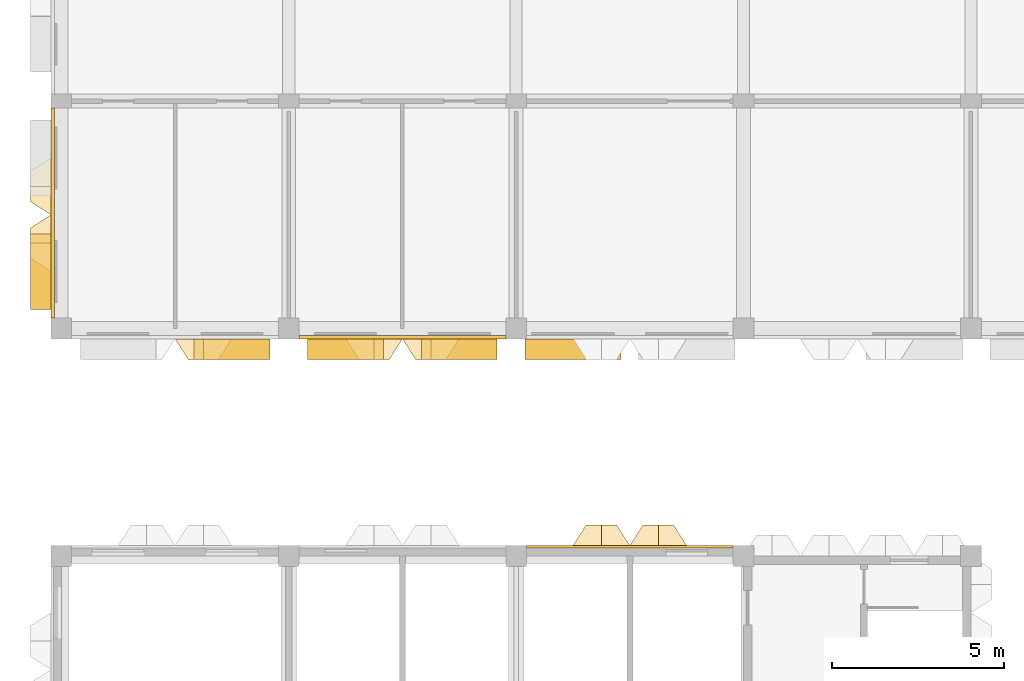
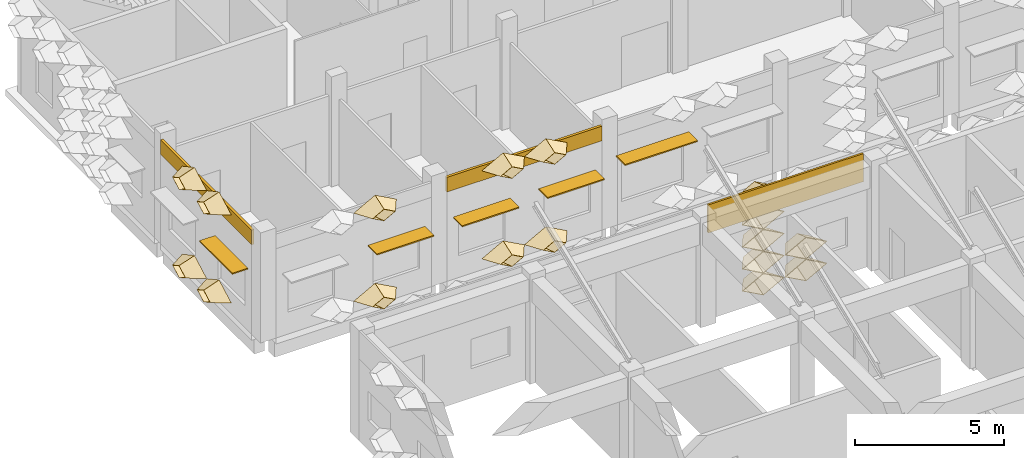
# One storey, part 84 of 102: 20 coverings, 5 shading devices.
"""IFC4 building model written with IfcOpenShell, lengths in metres."""

import ifcopenshell
import ifcopenshell.guid

model = None  # the IFC model being written
_history = None  # IfcOwnerHistory: only IFC2X3 demands one
_inside = {}  # id of a spatial element -> (the spatial element, [elements in it])
_under = {}  # id of a project, library or spatial element -> (it, [spatial elements below it])
_declared = {}  # id of a project -> (the project, [libraries it declares])
_typed = {}  # id of a type object -> (the type object, [elements of that type])
_made_of = {}  # id of a material, layer set ... -> (it, [elements and type objects made of it])


def new_model(schema):
    """Start an empty IFC model of exactly this schema.

    Asked for "IFC4X3", IfcOpenShell would pick the latest addendum, in which some entities
    have other attributes; the version numbers below select the first issue.
    IFC2X3 requires an IfcOwnerHistory on every rooted entity: one is made here for all.
    """
    global model, _history
    if schema == "IFC4X3":
        model = ifcopenshell.file(schema_version=(4, 3, 0, 0))
    else:
        model = ifcopenshell.file(schema=schema)
    _inside.clear()
    _under.clear()
    _declared.clear()
    _typed.clear()
    _made_of.clear()
    _history = None
    if model.schema == "IFC2X3":
        org = make("IfcOrganization", Name="unknown")
        user = make(
            "IfcPersonAndOrganization",
            ThePerson=make("IfcPerson", FamilyName="unknown"),
            TheOrganization=org,
        )
        app = make(
            "IfcApplication",
            ApplicationDeveloper=org,
            Version="unknown",
            ApplicationFullName="unknown",
            ApplicationIdentifier="unknown",
        )
        _history = make(
            "IfcOwnerHistory",
            OwningUser=user,
            OwningApplication=app,
            ChangeAction="ADDED",
            CreationDate=0,
        )
    return model


def make(cls, **values):
    """One entity of the class cls with the attributes given. An attribute that is None is left unset."""
    return model.create_entity(
        cls, **{name: value for name, value in values.items() if value is not None}
    )


def entity(cls, *values):
    """Any entity or typed value of the class cls, its attributes in the order of the schema. None: left unset."""
    e = model.create_entity(cls)
    for i, value in enumerate(values):
        if value is not None:
            e[i] = value
    return e


def rooted(cls, **values):
    """An entity with a GlobalId (a new one), such as an element, a storey or a relation."""
    return make(cls, GlobalId=ifcopenshell.guid.new(), OwnerHistory=_history, **values)


def si_unit(unit_type, name, prefix=None):
    """IfcSIUnit, for example si_unit("LENGTHUNIT", "METRE", prefix="MILLI")."""
    return make("IfcSIUnit", UnitType=unit_type, Prefix=prefix, Name=name)


def assignment(units):
    """IfcUnitAssignment: the units of a project."""
    return None if units is None else make("IfcUnitAssignment", Units=units)


def point(xyz):
    """IfcCartesianPoint."""
    return None if xyz is None else make("IfcCartesianPoint", Coordinates=xyz)


def direction(xyz):
    """IfcDirection."""
    return None if xyz is None else make("IfcDirection", DirectionRatios=xyz)


def frame(location, z_axis=None, x_axis=None):
    """IfcAxis2Placement3D, a coordinate frame: its origin and axes. An axis left out is left unset."""
    return make(
        "IfcAxis2Placement3D",
        Location=point(location),
        Axis=direction(z_axis),
        RefDirection=direction(x_axis),
    )


def frame_2d(location, x_axis=None):
    """IfcAxis2Placement2D, a coordinate frame in the plane: its origin and x axis."""
    return make(
        "IfcAxis2Placement2D", Location=point(location), RefDirection=direction(x_axis)
    )


def origin():
    """The frame at (0, 0, 0) with its axes left unset."""
    return frame((0.0, 0.0, 0.0))


def origin_2d():
    """The frame at (0, 0) in the plane with its x axis left unset."""
    return frame_2d((0.0, 0.0))


def place(relative_to, where):
    """IfcLocalPlacement: puts the frame where relative to a parent placement (None: the world)."""
    return make(
        "IfcLocalPlacement", PlacementRelTo=relative_to, RelativePlacement=where
    )


def context(
    kind, dimensions, precision=None, world=None, true_north=None, identifier=None
):
    """IfcGeometricRepresentationContext, for example the 3D "Model" context."""
    return make(
        "IfcGeometricRepresentationContext",
        ContextIdentifier=identifier,
        ContextType=kind,
        CoordinateSpaceDimension=dimensions,
        Precision=precision,
        WorldCoordinateSystem=world,
        TrueNorth=true_north,
    )


def subcontext(parent, identifier, kind, view, scale=None):
    """IfcGeometricRepresentationSubContext, for example "Body" below "Model"."""
    return make(
        "IfcGeometricRepresentationSubContext",
        ContextIdentifier=identifier,
        ContextType=kind,
        ParentContext=parent,
        TargetScale=scale,
        TargetView=view,
    )


def project(units=None, contexts=None):
    """IfcProject with its units and contexts."""
    return rooted(
        "IfcProject",
        Name="project",
        RepresentationContexts=contexts,
        UnitsInContext=assignment(units),
    )


def spatial(cls, under=None, at=None, **own):
    """A site, building, storey or space (cls), placed at a placement, below another one or the project."""
    s = rooted(cls, ObjectPlacement=at, **own)
    if under is not None:
        _under.setdefault(under.id(), (under, []))[1].append(s)
    return s


def profile(cls, at=None, kind="AREA", **sizes):
    """A parametric profile (cls). Its sizes go by their IFC names, for example OverallWidth=200.0."""
    return make(cls, ProfileType=kind, Position=at, **sizes)


def rectangle(**sizes):
    """IfcRectangleProfileDef."""
    return profile("IfcRectangleProfileDef", **sizes)


def extrude(swept, where, along, depth):
    """IfcExtrudedAreaSolid: the profile swept, set in the frame where, extruded along a direction by depth."""
    return make(
        "IfcExtrudedAreaSolid",
        SweptArea=swept,
        Position=where,
        ExtrudedDirection=direction(along),
        Depth=depth,
    )


def shape(context_of_items, identifier, shape_type, items):
    """IfcShapeRepresentation: the items that make up one representation, for example the "Body"."""
    return make(
        "IfcShapeRepresentation",
        ContextOfItems=context_of_items,
        RepresentationIdentifier=identifier,
        RepresentationType=shape_type,
        Items=items,
    )


def material(Name=None, Category=None):
    """IfcMaterial."""
    return make("IfcMaterial", Name=Name, Category=Category)


def layer(
    of_material, thickness, ventilated=None, Name=None, Category=None, Priority=None
):
    """IfcMaterialLayer: one layer of a wall or slab, of a material (None: an air gap)."""
    return make(
        "IfcMaterialLayer",
        Material=of_material,
        LayerThickness=thickness,
        IsVentilated=ventilated,
        Name=Name,
        Category=Category,
        Priority=Priority,
    )


def layer_set(layers, Name=None):
    """IfcMaterialLayerSet."""
    return make("IfcMaterialLayerSet", MaterialLayers=layers, LayerSetName=Name)


def made_of(thing, what):
    """Note that an element or type object is made of a material, layer set ...; save() writes the relation."""
    if what is not None:
        _made_of.setdefault(what.id(), (what, []))[1].append(thing)
    return thing


def type_object(cls, material=None, **own):
    """A type object (cls), such as IfcWallType, which elements share."""
    return made_of(rooted(cls, **own), material)


def element(
    cls,
    number,
    at=None,
    inside=None,
    cuts=None,
    type_object=None,
    material=None,
    context=None,
    identifier="Body",
    shape_type=None,
    held_by="IfcProductDefinitionShape",
    body=None,
    shapes=None,
    **own,
):
    """One element of the class cls, such as IfcWall. Its Tag is "e" and its number.

    at: its placement. inside: the storey or other place that contains it. cuts: it is an
    opening in that element (IfcRelVoidsElement). A single representation is given by context,
    identifier, shape_type and body (its items); several are given by shapes. held_by: the class
    of the entity that holds the representations. save() writes the other relations.
    """
    e = rooted(cls, Tag="e%d" % number, ObjectPlacement=at, **own)
    if body is not None:
        shapes = [shape(context, identifier, shape_type, body)]
    if shapes is not None:
        e.Representation = make(held_by, Representations=shapes)
    if inside is not None:
        _inside.setdefault(inside.id(), (inside, []))[1].append(e)
    if cuts is not None:
        rooted(
            "IfcRelVoidsElement", RelatingBuildingElement=cuts, RelatedOpeningElement=e
        )
    if type_object is not None:
        _typed.setdefault(type_object.id(), (type_object, []))[1].append(e)
    return made_of(e, material)


def aggregate(whole, parts):
    """IfcRelAggregates: a whole, such as a stair, and the parts it consists of."""
    return rooted("IfcRelAggregates", RelatingObject=whole, RelatedObjects=parts)


def save(model, path):
    """Write the relations noted so far, then the file.

    IfcRelAggregates (storeys below a building ...), IfcRelContainedInSpatialStructure (elements
    in a storey), IfcRelDefinesByType, IfcRelAssociatesMaterial and IfcRelDeclares: one each for
    every whole, place, type object, material and project.
    """
    for whole, parts in _under.values():
        aggregate(whole, parts)
    for where, things in _inside.values():
        rooted(
            "IfcRelContainedInSpatialStructure",
            RelatedElements=things,
            RelatingStructure=where,
        )
    for kind, things in _typed.values():
        rooted("IfcRelDefinesByType", RelatedObjects=things, RelatingType=kind)
    for what, things in _made_of.values():
        rooted("IfcRelAssociatesMaterial", RelatedObjects=things, RelatingMaterial=what)
    for by, libraries in _declared.values():
        rooted("IfcRelDeclares", RelatingContext=by, RelatedDefinitions=libraries)
    model.write(path)


model = new_model("IFC4")

# Units and contexts
model_context = context("Model", 3, precision=1e-05, world=origin(), true_north=direction((0.0, 1.0)))
body_context = subcontext(model_context, "Body", "Model", "MODEL_VIEW")
ifc_project = project(units=[si_unit("LENGTHUNIT", "METRE"), si_unit("AREAUNIT", "SQUARE_METRE"), si_unit("VOLUMEUNIT", "CUBIC_METRE"), si_unit("PLANEANGLEUNIT", "RADIAN"), si_unit("MASSUNIT", "GRAM", prefix="KILO")], contexts=[model_context])

# Site, building, storey
site_placement = place(None, origin())
site = spatial("IfcSite", under=ifc_project, at=site_placement, CompositionType="ELEMENT")
building_placement = place(site_placement, origin())
building = spatial("IfcBuilding", under=site, at=building_placement, Name="Lantern Court Research Institute", CompositionType="ELEMENT")
storey_placement = place(building_placement, frame((0.0, 0.0, 9.89990234375)))
storey = spatial("IfcBuildingStorey", under=building, at=storey_placement, Name="L02", CompositionType="ELEMENT", Elevation=9.89990234375)

# Shading devices
ifc_material_1 = material(Name="Aluminium alloy 6063-T6", Category="aluminium")
ifc_layer_1 = layer(ifc_material_1, 0.050048828125)
ifc_layer_set_1 = layer_set([ifc_layer_1], Name="Aluminium alloy 6063-T6")
shading_device_type_1 = type_object("IfcShadingDeviceType", Name="Brise-soleil blade 2200 x 600 x 50 aluminium", PredefinedType="USERDEFINED", material=ifc_layer_set_1)
for number, where, z_axis, x_axis, name in (
    (1, (4.949951171875, 81.89990234375, 2.5), (0.0, 0.0, 1.0), (-1.0, 0.0, 0.0), "Brise-soleil blade L02 S"),
    (2, (8.25, 81.89990234375, 2.5), (0.0, 0.0, 1.0), (-1.0, 0.0, 0.0), "Brise-soleil blade L02 S"),
    (3, (11.550048828125, 81.89990234375, 2.5), (0.0, 0.0, 1.0), (-1.0, 0.0, 0.0), "Brise-soleil blade L02 S"),
    (4, (-0.60009765625, 84.14990234375, 2.5), (0.0, 0.0, 1.0), (0.0, 1.0, 0.0), "Brise-soleil blade L02 W"),
):
    element("IfcShadingDevice", number, at=place(storey_placement, frame(where, z_axis=z_axis, x_axis=x_axis)), inside=storey, type_object=shading_device_type_1, Name=name, ObjectType="LOUVRE", PredefinedType="USERDEFINED", context=body_context, shape_type="SweptSolid", body=[
        extrude(rectangle(XDim=2.199951171875, YDim=0.60009765625, at=origin_2d()), origin(), (0.0, 0.0, 1.0), 0.050048828125),
    ])
ifc_material_2 = material(Name="Aluminium alloy 6063-T6", Category="aluminium")
ifc_layer_2 = layer(ifc_material_2, 0.050048828125)
ifc_layer_set_2 = layer_set([ifc_layer_2], Name="Aluminium alloy 6063-T6")
shading_device_type_2 = type_object("IfcShadingDeviceType", Name="Brise-soleil blade 2800 x 600 x 50 aluminium", PredefinedType="USERDEFINED", material=ifc_layer_set_2)
shading_device_placement = place(storey_placement, frame((14.85009765625, 81.89990234375, 2.80029296875), z_axis=(0.0, 0.0, 1.0), x_axis=(-1.0, 0.0, 0.0)))
element("IfcShadingDevice", 5, at=shading_device_placement, inside=storey, type_object=shading_device_type_2, Name="Brise-soleil blade L02 S", ObjectType="LOUVRE", PredefinedType="USERDEFINED", context=body_context, shape_type="SweptSolid", body=[
    extrude(rectangle(XDim=2.800048828125, YDim=0.60009765625, at=origin_2d()), origin(), (0.0, 0.0, 1.0), 0.050048828125),
])

# Coverings
ifc_material_3 = material(Name="Aluminium composite panel with mineral wool insulation", Category="aluminium")
ifc_layer_3 = layer(ifc_material_3, 0.10009765625)
ifc_layer_set_3 = layer_set([ifc_layer_3], Name="Aluminium composite panel with mineral wool insulation")
covering_type_1 = type_object("IfcCoveringType", Name="Edge fascia panel 100 aluminium faced", PredefinedType="CLADDING", material=ifc_layer_set_3)
covering_1_placement = place(storey_placement, frame((12.89990234375, 82.25, 3.650146484375), z_axis=(0.0, 0.0, 1.0), x_axis=(-1.0, 0.0, 0.0)))
element("IfcCovering", 6, at=covering_1_placement, inside=storey, type_object=covering_type_1, Name="Edge fascia V6S L02 02", PredefinedType="CLADDING", context=body_context, shape_type="SweptSolid", body=[
    extrude(rectangle(XDim=6.0, YDim=0.10009765625, at=frame_2d((3.0, 0.0))), origin(), (0.0, 0.0, 1.0), 0.599853515625),
])
covering_2_placement = place(storey_placement, frame((-0.25, 82.800048828125, 3.650146484375), z_axis=(0.0, 0.0, 1.0), x_axis=(0.0, 1.0, 0.0)))
element("IfcCovering", 7, at=covering_2_placement, inside=storey, type_object=covering_type_1, Name="Edge fascia V6W L02 01", PredefinedType="CLADDING", context=body_context, shape_type="SweptSolid", body=[
    extrude(rectangle(XDim=6.099853515625, YDim=0.10009765625, at=frame_2d((3.0498046875, 0.0))), origin(), (0.0, 0.0, 1.0), 0.599853515625),
])
ifc_material_4 = material(Name="Aluminium composite panel with mineral wool insulation", Category="aluminium")
ifc_layer_4 = layer(ifc_material_4, 0.074951171875)
ifc_layer_set_4 = layer_set([ifc_layer_4], Name="Aluminium composite panel with mineral wool insulation")
covering_type_2 = type_object("IfcCoveringType", Name="Edge fascia panel 75 aluminium faced", PredefinedType="CLADDING", material=ifc_layer_set_4)
covering_3_placement = place(storey_placement, frame((13.5, 76.16259765625, 3.35009765625), z_axis=(0.0, 0.0, 1.0), x_axis=(1.0, 0.0, 0.0)))
element("IfcCovering", 8, at=covering_3_placement, inside=storey, type_object=covering_type_2, Name="Edge fascia V3N L02 03", PredefinedType="CLADDING", context=body_context, shape_type="SweptSolid", body=[
    extrude(rectangle(XDim=6.0, YDim=0.074951171875, at=frame_2d((3.0, 0.0))), origin(), (0.0, 0.0, 1.0), 1.14990234375),
])
ifc_material_5 = material(Name="Anodised aluminium", Category="aluminium")
ifc_layer_5 = layer(ifc_material_5, 0.01611328125)
ifc_layer_set_5 = layer_set([ifc_layer_5], Name="Anodised aluminium")
covering_type_3 = type_object("IfcCoveringType", Name="Fin cassette 1650 x 900 x 600 aluminium", PredefinedType="CLADDING", material=ifc_layer_set_5)
covering_4_placement = place(storey_placement, frame((15.675048828125, 76.199951171875, 0.4501953125), z_axis=(0.0, 1.0, 0.0), x_axis=(-1.0, 0.0, 0.0)))
cartesian_point_1 = entity("IfcCartesianPoint", [0.824951171875, 0.0])
cartesian_point_2 = entity("IfcCartesianPoint", [0.79150390625, 0.0])
cartesian_point_3 = entity("IfcCartesianPoint", [0.44189453125, 0.0])
cartesian_point_4 = entity("IfcCartesianPoint", [0.43359375, 0.0])
element("IfcCovering", 9, at=covering_4_placement, inside=storey, type_object=covering_type_3, Name="Fin cassette V3N-L02 1.10", PredefinedType="CLADDING", context=body_context, shape_type="SweptSolid", body=[
    entity("IfcExtrudedAreaSolidTapered", entity("IfcArbitraryProfileDefWithVoids", "AREA", None, entity("IfcPolyline", [cartesian_point_1, entity("IfcCartesianPoint", [0.0, 0.449951171875]), entity("IfcCartesianPoint", [-0.824951171875, 0.0]), entity("IfcCartesianPoint", [0.0, -0.449951171875]), cartesian_point_1]), [entity("IfcPolyline", [cartesian_point_2, entity("IfcCartesianPoint", [0.0, 0.431884765625]), entity("IfcCartesianPoint", [-0.79150390625, 0.0]), entity("IfcCartesianPoint", [0.0, -0.431884765625]), cartesian_point_2])]), entity("IfcAxis2Placement3D", entity("IfcCartesianPoint", [0.0, 0.0, 0.0])), entity("IfcDirection", [0.0, 0.0, 1.0]), 0.60009765625, entity("IfcArbitraryProfileDefWithVoids", "AREA", None, entity("IfcPolyline", [cartesian_point_3, entity("IfcCartesianPoint", [0.0, 0.240966796875]), entity("IfcCartesianPoint", [-0.44189453125, 0.0]), entity("IfcCartesianPoint", [0.0, -0.240966796875]), cartesian_point_3]), [entity("IfcPolyline", [cartesian_point_4, entity("IfcCartesianPoint", [0.0, 0.236572265625]), entity("IfcCartesianPoint", [-0.43359375, 0.0]), entity("IfcCartesianPoint", [0.0, -0.236572265625]), cartesian_point_4])])),
])
covering_5_placement = place(storey_placement, frame((17.324951171875, 76.199951171875, 0.4501953125), z_axis=(0.0, 1.0, 0.0), x_axis=(-1.0, 0.0, 0.0)))
cartesian_point_5 = entity("IfcCartesianPoint", [0.824951171875, 0.0])
cartesian_point_6 = entity("IfcCartesianPoint", [0.79150390625, 0.0])
cartesian_point_7 = entity("IfcCartesianPoint", [0.44189453125, 0.0])
cartesian_point_8 = entity("IfcCartesianPoint", [0.43359375, 0.0])
element("IfcCovering", 10, at=covering_5_placement, inside=storey, type_object=covering_type_3, Name="Fin cassette V3N-L02 1.11", PredefinedType="CLADDING", context=body_context, shape_type="SweptSolid", body=[
    entity("IfcExtrudedAreaSolidTapered", entity("IfcArbitraryProfileDefWithVoids", "AREA", None, entity("IfcPolyline", [cartesian_point_5, entity("IfcCartesianPoint", [0.0, 0.449951171875]), entity("IfcCartesianPoint", [-0.824951171875, 0.0]), entity("IfcCartesianPoint", [0.0, -0.449951171875]), cartesian_point_5]), [entity("IfcPolyline", [cartesian_point_6, entity("IfcCartesianPoint", [0.0, 0.431884765625]), entity("IfcCartesianPoint", [-0.79150390625, 0.0]), entity("IfcCartesianPoint", [0.0, -0.431884765625]), cartesian_point_6])]), entity("IfcAxis2Placement3D", entity("IfcCartesianPoint", [0.0, 0.0, 0.0])), entity("IfcDirection", [0.0, 0.0, 1.0]), 0.60009765625, entity("IfcArbitraryProfileDefWithVoids", "AREA", None, entity("IfcPolyline", [cartesian_point_7, entity("IfcCartesianPoint", [0.0, 0.240966796875]), entity("IfcCartesianPoint", [-0.44189453125, 0.0]), entity("IfcCartesianPoint", [0.0, -0.240966796875]), cartesian_point_7]), [entity("IfcPolyline", [cartesian_point_8, entity("IfcCartesianPoint", [0.0, 0.236572265625]), entity("IfcCartesianPoint", [-0.43359375, 0.0]), entity("IfcCartesianPoint", [0.0, -0.236572265625]), cartesian_point_8])])),
])
covering_6_placement = place(storey_placement, frame((15.675048828125, 76.199951171875, 1.35009765625), z_axis=(0.0, 1.0, 0.0), x_axis=(-1.0, 0.0, 0.0)))
cartesian_point_9 = entity("IfcCartesianPoint", [0.824951171875, 0.0])
cartesian_point_10 = entity("IfcCartesianPoint", [0.79150390625, 0.0])
cartesian_point_11 = entity("IfcCartesianPoint", [0.44189453125, 0.0])
cartesian_point_12 = entity("IfcCartesianPoint", [0.43359375, 0.0])
element("IfcCovering", 11, at=covering_6_placement, inside=storey, type_object=covering_type_3, Name="Fin cassette V3N-L02 2.10", PredefinedType="CLADDING", context=body_context, shape_type="SweptSolid", body=[
    entity("IfcExtrudedAreaSolidTapered", entity("IfcArbitraryProfileDefWithVoids", "AREA", None, entity("IfcPolyline", [cartesian_point_9, entity("IfcCartesianPoint", [0.0, 0.449951171875]), entity("IfcCartesianPoint", [-0.824951171875, 0.0]), entity("IfcCartesianPoint", [0.0, -0.449951171875]), cartesian_point_9]), [entity("IfcPolyline", [cartesian_point_10, entity("IfcCartesianPoint", [0.0, 0.431884765625]), entity("IfcCartesianPoint", [-0.79150390625, 0.0]), entity("IfcCartesianPoint", [0.0, -0.431884765625]), cartesian_point_10])]), entity("IfcAxis2Placement3D", entity("IfcCartesianPoint", [0.0, 0.0, 0.0])), entity("IfcDirection", [0.0, 0.0, 1.0]), 0.60009765625, entity("IfcArbitraryProfileDefWithVoids", "AREA", None, entity("IfcPolyline", [cartesian_point_11, entity("IfcCartesianPoint", [0.0, 0.240966796875]), entity("IfcCartesianPoint", [-0.44189453125, 0.0]), entity("IfcCartesianPoint", [0.0, -0.240966796875]), cartesian_point_11]), [entity("IfcPolyline", [cartesian_point_12, entity("IfcCartesianPoint", [0.0, 0.236572265625]), entity("IfcCartesianPoint", [-0.43359375, 0.0]), entity("IfcCartesianPoint", [0.0, -0.236572265625]), cartesian_point_12])])),
])
covering_7_placement = place(storey_placement, frame((17.324951171875, 76.199951171875, 1.35009765625), z_axis=(0.0, 1.0, 0.0), x_axis=(-1.0, 0.0, 0.0)))
cartesian_point_13 = entity("IfcCartesianPoint", [0.824951171875, 0.0])
cartesian_point_14 = entity("IfcCartesianPoint", [0.79150390625, 0.0])
cartesian_point_15 = entity("IfcCartesianPoint", [0.44189453125, 0.0])
cartesian_point_16 = entity("IfcCartesianPoint", [0.43359375, 0.0])
element("IfcCovering", 12, at=covering_7_placement, inside=storey, type_object=covering_type_3, Name="Fin cassette V3N-L02 2.11", PredefinedType="CLADDING", context=body_context, shape_type="SweptSolid", body=[
    entity("IfcExtrudedAreaSolidTapered", entity("IfcArbitraryProfileDefWithVoids", "AREA", None, entity("IfcPolyline", [cartesian_point_13, entity("IfcCartesianPoint", [0.0, 0.449951171875]), entity("IfcCartesianPoint", [-0.824951171875, 0.0]), entity("IfcCartesianPoint", [0.0, -0.449951171875]), cartesian_point_13]), [entity("IfcPolyline", [cartesian_point_14, entity("IfcCartesianPoint", [0.0, 0.431884765625]), entity("IfcCartesianPoint", [-0.79150390625, 0.0]), entity("IfcCartesianPoint", [0.0, -0.431884765625]), cartesian_point_14])]), entity("IfcAxis2Placement3D", entity("IfcCartesianPoint", [0.0, 0.0, 0.0])), entity("IfcDirection", [0.0, 0.0, 1.0]), 0.60009765625, entity("IfcArbitraryProfileDefWithVoids", "AREA", None, entity("IfcPolyline", [cartesian_point_15, entity("IfcCartesianPoint", [0.0, 0.240966796875]), entity("IfcCartesianPoint", [-0.44189453125, 0.0]), entity("IfcCartesianPoint", [0.0, -0.240966796875]), cartesian_point_15]), [entity("IfcPolyline", [cartesian_point_16, entity("IfcCartesianPoint", [0.0, 0.236572265625]), entity("IfcCartesianPoint", [-0.43359375, 0.0]), entity("IfcCartesianPoint", [0.0, -0.236572265625]), cartesian_point_16])])),
])
covering_8_placement = place(storey_placement, frame((15.675048828125, 76.199951171875, 2.25), z_axis=(0.0, 1.0, 0.0), x_axis=(-1.0, 0.0, 0.0)))
cartesian_point_17 = entity("IfcCartesianPoint", [0.824951171875, 0.0])
cartesian_point_18 = entity("IfcCartesianPoint", [0.79150390625, 0.0])
cartesian_point_19 = entity("IfcCartesianPoint", [0.44189453125, 0.0])
cartesian_point_20 = entity("IfcCartesianPoint", [0.43359375, 0.0])
element("IfcCovering", 13, at=covering_8_placement, inside=storey, type_object=covering_type_3, Name="Fin cassette V3N-L02 3.10", PredefinedType="CLADDING", context=body_context, shape_type="SweptSolid", body=[
    entity("IfcExtrudedAreaSolidTapered", entity("IfcArbitraryProfileDefWithVoids", "AREA", None, entity("IfcPolyline", [cartesian_point_17, entity("IfcCartesianPoint", [0.0, 0.449951171875]), entity("IfcCartesianPoint", [-0.824951171875, 0.0]), entity("IfcCartesianPoint", [0.0, -0.449951171875]), cartesian_point_17]), [entity("IfcPolyline", [cartesian_point_18, entity("IfcCartesianPoint", [0.0, 0.431884765625]), entity("IfcCartesianPoint", [-0.79150390625, 0.0]), entity("IfcCartesianPoint", [0.0, -0.431884765625]), cartesian_point_18])]), entity("IfcAxis2Placement3D", entity("IfcCartesianPoint", [0.0, 0.0, 0.0])), entity("IfcDirection", [0.0, 0.0, 1.0]), 0.60009765625, entity("IfcArbitraryProfileDefWithVoids", "AREA", None, entity("IfcPolyline", [cartesian_point_19, entity("IfcCartesianPoint", [0.0, 0.240966796875]), entity("IfcCartesianPoint", [-0.44189453125, 0.0]), entity("IfcCartesianPoint", [0.0, -0.240966796875]), cartesian_point_19]), [entity("IfcPolyline", [cartesian_point_20, entity("IfcCartesianPoint", [0.0, 0.236572265625]), entity("IfcCartesianPoint", [-0.43359375, 0.0]), entity("IfcCartesianPoint", [0.0, -0.236572265625]), cartesian_point_20])])),
])
covering_9_placement = place(storey_placement, frame((15.675048828125, 76.199951171875, 3.150146484375), z_axis=(0.0, 1.0, 0.0), x_axis=(-1.0, 0.0, 0.0)))
cartesian_point_21 = entity("IfcCartesianPoint", [0.824951171875, 0.0])
cartesian_point_22 = entity("IfcCartesianPoint", [0.79150390625, 0.0])
cartesian_point_23 = entity("IfcCartesianPoint", [0.44189453125, 0.0])
cartesian_point_24 = entity("IfcCartesianPoint", [0.43359375, 0.0])
element("IfcCovering", 14, at=covering_9_placement, inside=storey, type_object=covering_type_3, Name="Fin cassette V3N-L02 4.10", PredefinedType="CLADDING", context=body_context, shape_type="SweptSolid", body=[
    entity("IfcExtrudedAreaSolidTapered", entity("IfcArbitraryProfileDefWithVoids", "AREA", None, entity("IfcPolyline", [cartesian_point_21, entity("IfcCartesianPoint", [0.0, 0.449951171875]), entity("IfcCartesianPoint", [-0.824951171875, 0.0]), entity("IfcCartesianPoint", [0.0, -0.449951171875]), cartesian_point_21]), [entity("IfcPolyline", [cartesian_point_22, entity("IfcCartesianPoint", [0.0, 0.431884765625]), entity("IfcCartesianPoint", [-0.79150390625, 0.0]), entity("IfcCartesianPoint", [0.0, -0.431884765625]), cartesian_point_22])]), entity("IfcAxis2Placement3D", entity("IfcCartesianPoint", [0.0, 0.0, 0.0])), entity("IfcDirection", [0.0, 0.0, 1.0]), 0.60009765625, entity("IfcArbitraryProfileDefWithVoids", "AREA", None, entity("IfcPolyline", [cartesian_point_23, entity("IfcCartesianPoint", [0.0, 0.240966796875]), entity("IfcCartesianPoint", [-0.44189453125, 0.0]), entity("IfcCartesianPoint", [0.0, -0.240966796875]), cartesian_point_23]), [entity("IfcPolyline", [cartesian_point_24, entity("IfcCartesianPoint", [0.0, 0.236572265625]), entity("IfcCartesianPoint", [-0.43359375, 0.0]), entity("IfcCartesianPoint", [0.0, -0.236572265625]), cartesian_point_24])])),
])
covering_10_placement = place(storey_placement, frame((15.675048828125, 76.199951171875, 4.050048828125), z_axis=(0.0, 1.0, 0.0), x_axis=(-1.0, 0.0, 0.0)))
cartesian_point_25 = entity("IfcCartesianPoint", [0.824951171875, 0.0])
cartesian_point_26 = entity("IfcCartesianPoint", [0.79150390625, 0.0])
cartesian_point_27 = entity("IfcCartesianPoint", [0.44189453125, 0.0])
cartesian_point_28 = entity("IfcCartesianPoint", [0.43359375, 0.0])
element("IfcCovering", 15, at=covering_10_placement, inside=storey, type_object=covering_type_3, Name="Fin cassette V3N-L02 5.10", PredefinedType="CLADDING", context=body_context, shape_type="SweptSolid", body=[
    entity("IfcExtrudedAreaSolidTapered", entity("IfcArbitraryProfileDefWithVoids", "AREA", None, entity("IfcPolyline", [cartesian_point_25, entity("IfcCartesianPoint", [0.0, 0.449951171875]), entity("IfcCartesianPoint", [-0.824951171875, 0.0]), entity("IfcCartesianPoint", [0.0, -0.449951171875]), cartesian_point_25]), [entity("IfcPolyline", [cartesian_point_26, entity("IfcCartesianPoint", [0.0, 0.431884765625]), entity("IfcCartesianPoint", [-0.79150390625, 0.0]), entity("IfcCartesianPoint", [0.0, -0.431884765625]), cartesian_point_26])]), entity("IfcAxis2Placement3D", entity("IfcCartesianPoint", [0.0, 0.0, 0.0])), entity("IfcDirection", [0.0, 0.0, 1.0]), 0.60009765625, entity("IfcArbitraryProfileDefWithVoids", "AREA", None, entity("IfcPolyline", [cartesian_point_27, entity("IfcCartesianPoint", [0.0, 0.240966796875]), entity("IfcCartesianPoint", [-0.44189453125, 0.0]), entity("IfcCartesianPoint", [0.0, -0.240966796875]), cartesian_point_27]), [entity("IfcPolyline", [cartesian_point_28, entity("IfcCartesianPoint", [0.0, 0.236572265625]), entity("IfcCartesianPoint", [-0.43359375, 0.0]), entity("IfcCartesianPoint", [0.0, -0.236572265625]), cartesian_point_28])])),
])
covering_11_placement = place(storey_placement, frame((4.125, 82.199951171875, 0.4501953125), z_axis=(0.0, -1.0, 0.0), x_axis=(1.0, 0.0, 0.0)))
cartesian_point_29 = entity("IfcCartesianPoint", [0.824951171875, 0.0])
cartesian_point_30 = entity("IfcCartesianPoint", [0.79150390625, 0.0])
cartesian_point_31 = entity("IfcCartesianPoint", [0.44189453125, 0.0])
cartesian_point_32 = entity("IfcCartesianPoint", [0.43359375, 0.0])
element("IfcCovering", 16, at=covering_11_placement, inside=storey, type_object=covering_type_3, Name="Fin cassette V6S-L02 1.3", PredefinedType="CLADDING", context=body_context, shape_type="SweptSolid", body=[
    entity("IfcExtrudedAreaSolidTapered", entity("IfcArbitraryProfileDefWithVoids", "AREA", None, entity("IfcPolyline", [cartesian_point_29, entity("IfcCartesianPoint", [0.0, 0.449951171875]), entity("IfcCartesianPoint", [-0.824951171875, 0.0]), entity("IfcCartesianPoint", [0.0, -0.449951171875]), cartesian_point_29]), [entity("IfcPolyline", [cartesian_point_30, entity("IfcCartesianPoint", [0.0, 0.431884765625]), entity("IfcCartesianPoint", [-0.79150390625, 0.0]), entity("IfcCartesianPoint", [0.0, -0.431884765625]), cartesian_point_30])]), entity("IfcAxis2Placement3D", entity("IfcCartesianPoint", [0.0, 0.0, 0.0])), entity("IfcDirection", [0.0, 0.0, 1.0]), 0.60009765625, entity("IfcArbitraryProfileDefWithVoids", "AREA", None, entity("IfcPolyline", [cartesian_point_31, entity("IfcCartesianPoint", [0.0, 0.240966796875]), entity("IfcCartesianPoint", [-0.44189453125, 0.0]), entity("IfcCartesianPoint", [0.0, -0.240966796875]), cartesian_point_31]), [entity("IfcPolyline", [cartesian_point_32, entity("IfcCartesianPoint", [0.0, 0.236572265625]), entity("IfcCartesianPoint", [-0.43359375, 0.0]), entity("IfcCartesianPoint", [0.0, -0.236572265625]), cartesian_point_32])])),
])
covering_12_placement = place(storey_placement, frame((9.074951171875, 82.199951171875, 0.4501953125), z_axis=(0.0, -1.0, 0.0), x_axis=(1.0, 0.0, 0.0)))
cartesian_point_33 = entity("IfcCartesianPoint", [0.824951171875, 0.0])
cartesian_point_34 = entity("IfcCartesianPoint", [0.79150390625, 0.0])
cartesian_point_35 = entity("IfcCartesianPoint", [0.44189453125, 0.0])
cartesian_point_36 = entity("IfcCartesianPoint", [0.43359375, 0.0])
element("IfcCovering", 17, at=covering_12_placement, inside=storey, type_object=covering_type_3, Name="Fin cassette V6S-L02 1.6", PredefinedType="CLADDING", context=body_context, shape_type="SweptSolid", body=[
    entity("IfcExtrudedAreaSolidTapered", entity("IfcArbitraryProfileDefWithVoids", "AREA", None, entity("IfcPolyline", [cartesian_point_33, entity("IfcCartesianPoint", [0.0, 0.449951171875]), entity("IfcCartesianPoint", [-0.824951171875, 0.0]), entity("IfcCartesianPoint", [0.0, -0.449951171875]), cartesian_point_33]), [entity("IfcPolyline", [cartesian_point_34, entity("IfcCartesianPoint", [0.0, 0.431884765625]), entity("IfcCartesianPoint", [-0.79150390625, 0.0]), entity("IfcCartesianPoint", [0.0, -0.431884765625]), cartesian_point_34])]), entity("IfcAxis2Placement3D", entity("IfcCartesianPoint", [0.0, 0.0, 0.0])), entity("IfcDirection", [0.0, 0.0, 1.0]), 0.60009765625, entity("IfcArbitraryProfileDefWithVoids", "AREA", None, entity("IfcPolyline", [cartesian_point_35, entity("IfcCartesianPoint", [0.0, 0.240966796875]), entity("IfcCartesianPoint", [-0.44189453125, 0.0]), entity("IfcCartesianPoint", [0.0, -0.240966796875]), cartesian_point_35]), [entity("IfcPolyline", [cartesian_point_36, entity("IfcCartesianPoint", [0.0, 0.236572265625]), entity("IfcCartesianPoint", [-0.43359375, 0.0]), entity("IfcCartesianPoint", [0.0, -0.236572265625]), cartesian_point_36])])),
])
covering_13_placement = place(storey_placement, frame((10.72509765625, 82.199951171875, 0.4501953125), z_axis=(0.0, -1.0, 0.0), x_axis=(1.0, 0.0, 0.0)))
cartesian_point_37 = entity("IfcCartesianPoint", [0.824951171875, 0.0])
cartesian_point_38 = entity("IfcCartesianPoint", [0.79150390625, 0.0])
cartesian_point_39 = entity("IfcCartesianPoint", [0.44189453125, 0.0])
cartesian_point_40 = entity("IfcCartesianPoint", [0.43359375, 0.0])
element("IfcCovering", 18, at=covering_13_placement, inside=storey, type_object=covering_type_3, Name="Fin cassette V6S-L02 1.7", PredefinedType="CLADDING", context=body_context, shape_type="SweptSolid", body=[
    entity("IfcExtrudedAreaSolidTapered", entity("IfcArbitraryProfileDefWithVoids", "AREA", None, entity("IfcPolyline", [cartesian_point_37, entity("IfcCartesianPoint", [0.0, 0.449951171875]), entity("IfcCartesianPoint", [-0.824951171875, 0.0]), entity("IfcCartesianPoint", [0.0, -0.449951171875]), cartesian_point_37]), [entity("IfcPolyline", [cartesian_point_38, entity("IfcCartesianPoint", [0.0, 0.431884765625]), entity("IfcCartesianPoint", [-0.79150390625, 0.0]), entity("IfcCartesianPoint", [0.0, -0.431884765625]), cartesian_point_38])]), entity("IfcAxis2Placement3D", entity("IfcCartesianPoint", [0.0, 0.0, 0.0])), entity("IfcDirection", [0.0, 0.0, 1.0]), 0.60009765625, entity("IfcArbitraryProfileDefWithVoids", "AREA", None, entity("IfcPolyline", [cartesian_point_39, entity("IfcCartesianPoint", [0.0, 0.240966796875]), entity("IfcCartesianPoint", [-0.44189453125, 0.0]), entity("IfcCartesianPoint", [0.0, -0.240966796875]), cartesian_point_39]), [entity("IfcPolyline", [cartesian_point_40, entity("IfcCartesianPoint", [0.0, 0.236572265625]), entity("IfcCartesianPoint", [-0.43359375, 0.0]), entity("IfcCartesianPoint", [0.0, -0.236572265625]), cartesian_point_40])])),
])
covering_14_placement = place(storey_placement, frame((4.125, 82.199951171875, 4.050048828125), z_axis=(0.0, -1.0, 0.0), x_axis=(1.0, 0.0, 0.0)))
cartesian_point_41 = entity("IfcCartesianPoint", [0.824951171875, 0.0])
cartesian_point_42 = entity("IfcCartesianPoint", [0.79150390625, 0.0])
cartesian_point_43 = entity("IfcCartesianPoint", [0.44189453125, 0.0])
cartesian_point_44 = entity("IfcCartesianPoint", [0.43359375, 0.0])
element("IfcCovering", 19, at=covering_14_placement, inside=storey, type_object=covering_type_3, Name="Fin cassette V6S-L02 5.3", PredefinedType="CLADDING", context=body_context, shape_type="SweptSolid", body=[
    entity("IfcExtrudedAreaSolidTapered", entity("IfcArbitraryProfileDefWithVoids", "AREA", None, entity("IfcPolyline", [cartesian_point_41, entity("IfcCartesianPoint", [0.0, 0.449951171875]), entity("IfcCartesianPoint", [-0.824951171875, 0.0]), entity("IfcCartesianPoint", [0.0, -0.449951171875]), cartesian_point_41]), [entity("IfcPolyline", [cartesian_point_42, entity("IfcCartesianPoint", [0.0, 0.431884765625]), entity("IfcCartesianPoint", [-0.79150390625, 0.0]), entity("IfcCartesianPoint", [0.0, -0.431884765625]), cartesian_point_42])]), entity("IfcAxis2Placement3D", entity("IfcCartesianPoint", [0.0, 0.0, 0.0])), entity("IfcDirection", [0.0, 0.0, 1.0]), 0.60009765625, entity("IfcArbitraryProfileDefWithVoids", "AREA", None, entity("IfcPolyline", [cartesian_point_43, entity("IfcCartesianPoint", [0.0, 0.240966796875]), entity("IfcCartesianPoint", [-0.44189453125, 0.0]), entity("IfcCartesianPoint", [0.0, -0.240966796875]), cartesian_point_43]), [entity("IfcPolyline", [cartesian_point_44, entity("IfcCartesianPoint", [0.0, 0.236572265625]), entity("IfcCartesianPoint", [-0.43359375, 0.0]), entity("IfcCartesianPoint", [0.0, -0.236572265625]), cartesian_point_44])])),
])
covering_15_placement = place(storey_placement, frame((9.074951171875, 82.199951171875, 4.050048828125), z_axis=(0.0, -1.0, 0.0), x_axis=(1.0, 0.0, 0.0)))
cartesian_point_45 = entity("IfcCartesianPoint", [0.824951171875, 0.0])
cartesian_point_46 = entity("IfcCartesianPoint", [0.79150390625, 0.0])
cartesian_point_47 = entity("IfcCartesianPoint", [0.44189453125, 0.0])
cartesian_point_48 = entity("IfcCartesianPoint", [0.43359375, 0.0])
element("IfcCovering", 20, at=covering_15_placement, inside=storey, type_object=covering_type_3, Name="Fin cassette V6S-L02 5.6", PredefinedType="CLADDING", context=body_context, shape_type="SweptSolid", body=[
    entity("IfcExtrudedAreaSolidTapered", entity("IfcArbitraryProfileDefWithVoids", "AREA", None, entity("IfcPolyline", [cartesian_point_45, entity("IfcCartesianPoint", [0.0, 0.449951171875]), entity("IfcCartesianPoint", [-0.824951171875, 0.0]), entity("IfcCartesianPoint", [0.0, -0.449951171875]), cartesian_point_45]), [entity("IfcPolyline", [cartesian_point_46, entity("IfcCartesianPoint", [0.0, 0.431884765625]), entity("IfcCartesianPoint", [-0.79150390625, 0.0]), entity("IfcCartesianPoint", [0.0, -0.431884765625]), cartesian_point_46])]), entity("IfcAxis2Placement3D", entity("IfcCartesianPoint", [0.0, 0.0, 0.0])), entity("IfcDirection", [0.0, 0.0, 1.0]), 0.60009765625, entity("IfcArbitraryProfileDefWithVoids", "AREA", None, entity("IfcPolyline", [cartesian_point_47, entity("IfcCartesianPoint", [0.0, 0.240966796875]), entity("IfcCartesianPoint", [-0.44189453125, 0.0]), entity("IfcCartesianPoint", [0.0, -0.240966796875]), cartesian_point_47]), [entity("IfcPolyline", [cartesian_point_48, entity("IfcCartesianPoint", [0.0, 0.236572265625]), entity("IfcCartesianPoint", [-0.43359375, 0.0]), entity("IfcCartesianPoint", [0.0, -0.236572265625]), cartesian_point_48])])),
])
covering_16_placement = place(storey_placement, frame((10.72509765625, 82.199951171875, 4.050048828125), z_axis=(0.0, -1.0, 0.0), x_axis=(1.0, 0.0, 0.0)))
cartesian_point_49 = entity("IfcCartesianPoint", [0.824951171875, 0.0])
cartesian_point_50 = entity("IfcCartesianPoint", [0.79150390625, 0.0])
cartesian_point_51 = entity("IfcCartesianPoint", [0.44189453125, 0.0])
cartesian_point_52 = entity("IfcCartesianPoint", [0.43359375, 0.0])
element("IfcCovering", 21, at=covering_16_placement, inside=storey, type_object=covering_type_3, Name="Fin cassette V6S-L02 5.7", PredefinedType="CLADDING", context=body_context, shape_type="SweptSolid", body=[
    entity("IfcExtrudedAreaSolidTapered", entity("IfcArbitraryProfileDefWithVoids", "AREA", None, entity("IfcPolyline", [cartesian_point_49, entity("IfcCartesianPoint", [0.0, 0.449951171875]), entity("IfcCartesianPoint", [-0.824951171875, 0.0]), entity("IfcCartesianPoint", [0.0, -0.449951171875]), cartesian_point_49]), [entity("IfcPolyline", [cartesian_point_50, entity("IfcCartesianPoint", [0.0, 0.431884765625]), entity("IfcCartesianPoint", [-0.79150390625, 0.0]), entity("IfcCartesianPoint", [0.0, -0.431884765625]), cartesian_point_50])]), entity("IfcAxis2Placement3D", entity("IfcCartesianPoint", [0.0, 0.0, 0.0])), entity("IfcDirection", [0.0, 0.0, 1.0]), 0.60009765625, entity("IfcArbitraryProfileDefWithVoids", "AREA", None, entity("IfcPolyline", [cartesian_point_51, entity("IfcCartesianPoint", [0.0, 0.240966796875]), entity("IfcCartesianPoint", [-0.44189453125, 0.0]), entity("IfcCartesianPoint", [0.0, -0.240966796875]), cartesian_point_51]), [entity("IfcPolyline", [cartesian_point_52, entity("IfcCartesianPoint", [0.0, 0.236572265625]), entity("IfcCartesianPoint", [-0.43359375, 0.0]), entity("IfcCartesianPoint", [0.0, -0.236572265625]), cartesian_point_52])])),
])
covering_17_placement = place(storey_placement, frame((-0.300048828125, 84.97509765625, 0.4501953125), z_axis=(-1.0, 0.0, 0.0), x_axis=(0.0, -1.0, 0.0)))
cartesian_point_53 = entity("IfcCartesianPoint", [0.824951171875, 0.0])
cartesian_point_54 = entity("IfcCartesianPoint", [0.79150390625, 0.0])
cartesian_point_55 = entity("IfcCartesianPoint", [0.44189453125, 0.0])
cartesian_point_56 = entity("IfcCartesianPoint", [0.43359375, 0.0])
element("IfcCovering", 22, at=covering_17_placement, inside=storey, type_object=covering_type_3, Name="Fin cassette V6W-L02 1.52", PredefinedType="CLADDING", context=body_context, shape_type="SweptSolid", body=[
    entity("IfcExtrudedAreaSolidTapered", entity("IfcArbitraryProfileDefWithVoids", "AREA", None, entity("IfcPolyline", [cartesian_point_53, entity("IfcCartesianPoint", [0.0, 0.449951171875]), entity("IfcCartesianPoint", [-0.824951171875, 0.0]), entity("IfcCartesianPoint", [0.0, -0.449951171875]), cartesian_point_53]), [entity("IfcPolyline", [cartesian_point_54, entity("IfcCartesianPoint", [0.0, 0.431884765625]), entity("IfcCartesianPoint", [-0.79150390625, 0.0]), entity("IfcCartesianPoint", [0.0, -0.431884765625]), cartesian_point_54])]), entity("IfcAxis2Placement3D", entity("IfcCartesianPoint", [0.0, 0.0, 0.0])), entity("IfcDirection", [0.0, 0.0, 1.0]), 0.60009765625, entity("IfcArbitraryProfileDefWithVoids", "AREA", None, entity("IfcPolyline", [cartesian_point_55, entity("IfcCartesianPoint", [0.0, 0.240966796875]), entity("IfcCartesianPoint", [-0.44189453125, 0.0]), entity("IfcCartesianPoint", [0.0, -0.240966796875]), cartesian_point_55]), [entity("IfcPolyline", [cartesian_point_56, entity("IfcCartesianPoint", [0.0, 0.236572265625]), entity("IfcCartesianPoint", [-0.43359375, 0.0]), entity("IfcCartesianPoint", [0.0, -0.236572265625]), cartesian_point_56])])),
])
covering_18_placement = place(storey_placement, frame((-0.300048828125, 86.625, 0.4501953125), z_axis=(-1.0, 0.0, 0.0), x_axis=(0.0, -1.0, 0.0)))
cartesian_point_57 = entity("IfcCartesianPoint", [0.824951171875, 0.0])
cartesian_point_58 = entity("IfcCartesianPoint", [0.79150390625, 0.0])
cartesian_point_59 = entity("IfcCartesianPoint", [0.44189453125, 0.0])
cartesian_point_60 = entity("IfcCartesianPoint", [0.43359375, 0.0])
element("IfcCovering", 23, at=covering_18_placement, inside=storey, type_object=covering_type_3, Name="Fin cassette V6W-L02 1.53", PredefinedType="CLADDING", context=body_context, shape_type="SweptSolid", body=[
    entity("IfcExtrudedAreaSolidTapered", entity("IfcArbitraryProfileDefWithVoids", "AREA", None, entity("IfcPolyline", [cartesian_point_57, entity("IfcCartesianPoint", [0.0, 0.449951171875]), entity("IfcCartesianPoint", [-0.824951171875, 0.0]), entity("IfcCartesianPoint", [0.0, -0.449951171875]), cartesian_point_57]), [entity("IfcPolyline", [cartesian_point_58, entity("IfcCartesianPoint", [0.0, 0.431884765625]), entity("IfcCartesianPoint", [-0.79150390625, 0.0]), entity("IfcCartesianPoint", [0.0, -0.431884765625]), cartesian_point_58])]), entity("IfcAxis2Placement3D", entity("IfcCartesianPoint", [0.0, 0.0, 0.0])), entity("IfcDirection", [0.0, 0.0, 1.0]), 0.60009765625, entity("IfcArbitraryProfileDefWithVoids", "AREA", None, entity("IfcPolyline", [cartesian_point_59, entity("IfcCartesianPoint", [0.0, 0.240966796875]), entity("IfcCartesianPoint", [-0.44189453125, 0.0]), entity("IfcCartesianPoint", [0.0, -0.240966796875]), cartesian_point_59]), [entity("IfcPolyline", [cartesian_point_60, entity("IfcCartesianPoint", [0.0, 0.236572265625]), entity("IfcCartesianPoint", [-0.43359375, 0.0]), entity("IfcCartesianPoint", [0.0, -0.236572265625]), cartesian_point_60])])),
])
covering_19_placement = place(storey_placement, frame((-0.300048828125, 84.97509765625, 4.050048828125), z_axis=(-1.0, 0.0, 0.0), x_axis=(0.0, -1.0, 0.0)))
cartesian_point_61 = entity("IfcCartesianPoint", [0.824951171875, 0.0])
cartesian_point_62 = entity("IfcCartesianPoint", [0.79150390625, 0.0])
cartesian_point_63 = entity("IfcCartesianPoint", [0.44189453125, 0.0])
cartesian_point_64 = entity("IfcCartesianPoint", [0.43359375, 0.0])
element("IfcCovering", 24, at=covering_19_placement, inside=storey, type_object=covering_type_3, Name="Fin cassette V6W-L02 5.52", PredefinedType="CLADDING", context=body_context, shape_type="SweptSolid", body=[
    entity("IfcExtrudedAreaSolidTapered", entity("IfcArbitraryProfileDefWithVoids", "AREA", None, entity("IfcPolyline", [cartesian_point_61, entity("IfcCartesianPoint", [0.0, 0.449951171875]), entity("IfcCartesianPoint", [-0.824951171875, 0.0]), entity("IfcCartesianPoint", [0.0, -0.449951171875]), cartesian_point_61]), [entity("IfcPolyline", [cartesian_point_62, entity("IfcCartesianPoint", [0.0, 0.431884765625]), entity("IfcCartesianPoint", [-0.79150390625, 0.0]), entity("IfcCartesianPoint", [0.0, -0.431884765625]), cartesian_point_62])]), entity("IfcAxis2Placement3D", entity("IfcCartesianPoint", [0.0, 0.0, 0.0])), entity("IfcDirection", [0.0, 0.0, 1.0]), 0.60009765625, entity("IfcArbitraryProfileDefWithVoids", "AREA", None, entity("IfcPolyline", [cartesian_point_63, entity("IfcCartesianPoint", [0.0, 0.240966796875]), entity("IfcCartesianPoint", [-0.44189453125, 0.0]), entity("IfcCartesianPoint", [0.0, -0.240966796875]), cartesian_point_63]), [entity("IfcPolyline", [cartesian_point_64, entity("IfcCartesianPoint", [0.0, 0.236572265625]), entity("IfcCartesianPoint", [-0.43359375, 0.0]), entity("IfcCartesianPoint", [0.0, -0.236572265625]), cartesian_point_64])])),
])
covering_20_placement = place(storey_placement, frame((-0.300048828125, 86.625, 4.050048828125), z_axis=(-1.0, 0.0, 0.0), x_axis=(0.0, -1.0, 0.0)))
cartesian_point_65 = entity("IfcCartesianPoint", [0.824951171875, 0.0])
cartesian_point_66 = entity("IfcCartesianPoint", [0.79150390625, 0.0])
cartesian_point_67 = entity("IfcCartesianPoint", [0.44189453125, 0.0])
cartesian_point_68 = entity("IfcCartesianPoint", [0.43359375, 0.0])
element("IfcCovering", 25, at=covering_20_placement, inside=storey, type_object=covering_type_3, Name="Fin cassette V6W-L02 5.53", PredefinedType="CLADDING", context=body_context, shape_type="SweptSolid", body=[
    entity("IfcExtrudedAreaSolidTapered", entity("IfcArbitraryProfileDefWithVoids", "AREA", None, entity("IfcPolyline", [cartesian_point_65, entity("IfcCartesianPoint", [0.0, 0.449951171875]), entity("IfcCartesianPoint", [-0.824951171875, 0.0]), entity("IfcCartesianPoint", [0.0, -0.449951171875]), cartesian_point_65]), [entity("IfcPolyline", [cartesian_point_66, entity("IfcCartesianPoint", [0.0, 0.431884765625]), entity("IfcCartesianPoint", [-0.79150390625, 0.0]), entity("IfcCartesianPoint", [0.0, -0.431884765625]), cartesian_point_66])]), entity("IfcAxis2Placement3D", entity("IfcCartesianPoint", [0.0, 0.0, 0.0])), entity("IfcDirection", [0.0, 0.0, 1.0]), 0.60009765625, entity("IfcArbitraryProfileDefWithVoids", "AREA", None, entity("IfcPolyline", [cartesian_point_67, entity("IfcCartesianPoint", [0.0, 0.240966796875]), entity("IfcCartesianPoint", [-0.44189453125, 0.0]), entity("IfcCartesianPoint", [0.0, -0.240966796875]), cartesian_point_67]), [entity("IfcPolyline", [cartesian_point_68, entity("IfcCartesianPoint", [0.0, 0.236572265625]), entity("IfcCartesianPoint", [-0.43359375, 0.0]), entity("IfcCartesianPoint", [0.0, -0.236572265625]), cartesian_point_68])])),
])

save(model, "model.ifc")
